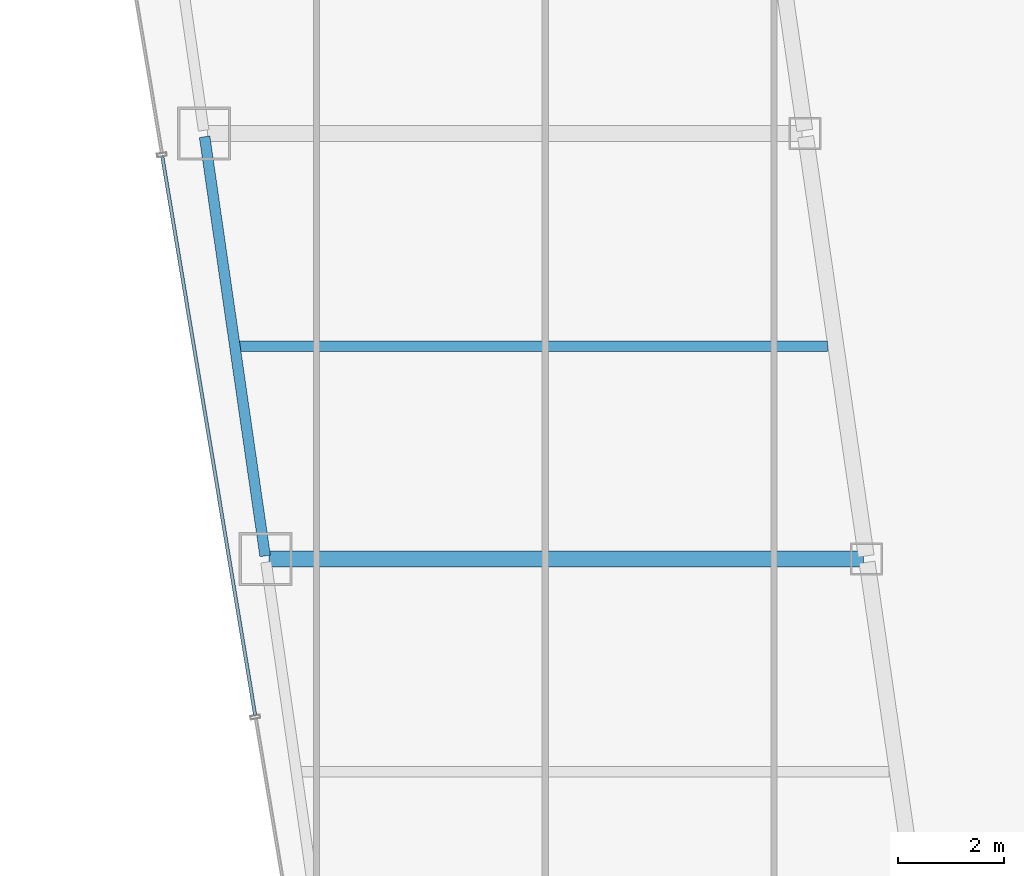
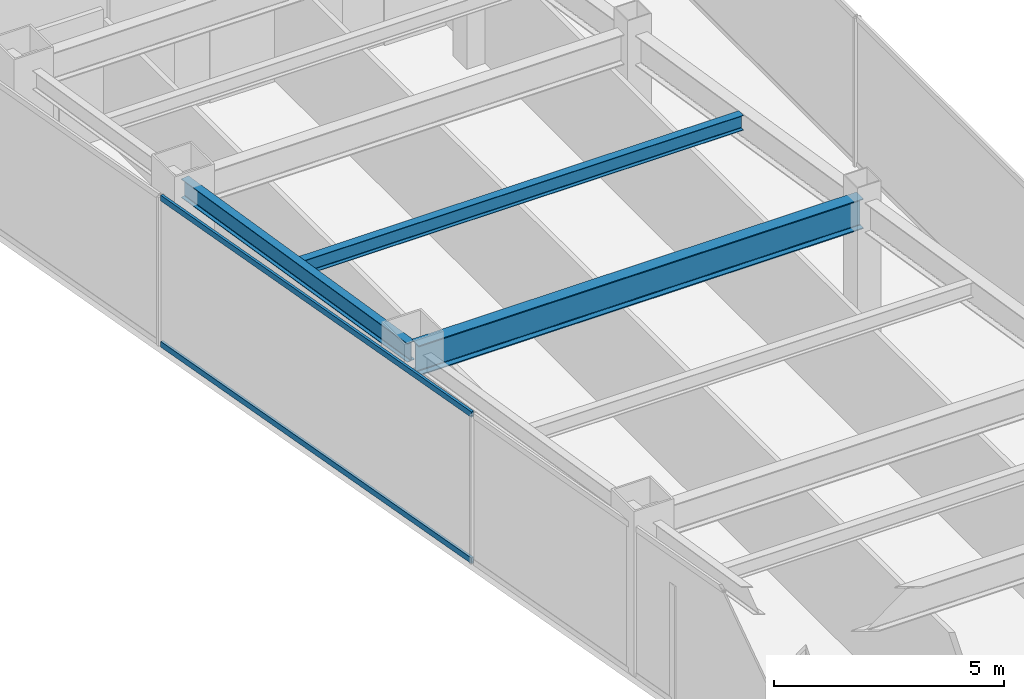
# One storey, part 8 of 36: 3 beams, 2 members, 1 element without a shape of its own.
"""IFC4 building model written with IfcOpenShell, lengths in metres."""

from ifc_helpers import new_model, si_unit, direction, frame, origin, origin_2d, place, context, subcontext, project, spatial, hollow_rectangle, i_section, extrude, material, material_profile, profile_set, type_object, element, aggregate, save


model = new_model("IFC4")

# Units and contexts
model_context = context("Model", 3, precision=1e-05, world=origin(), true_north=direction((0.0, 1.0)))
body_context = subcontext(model_context, "Body", "Model", "MODEL_VIEW")
ifc_project = project(units=[si_unit("LENGTHUNIT", "METRE"), si_unit("AREAUNIT", "SQUARE_METRE"), si_unit("VOLUMEUNIT", "CUBIC_METRE"), si_unit("PLANEANGLEUNIT", "RADIAN"), si_unit("MASSUNIT", "GRAM", prefix="KILO")], contexts=[model_context])

# Site, building, storey
site_placement = place(None, origin())
site = spatial("IfcSite", under=ifc_project, at=site_placement, CompositionType="ELEMENT")
building_placement = place(site_placement, origin())
building = spatial("IfcBuilding", under=site, at=building_placement, Name="Saevonmaru Cultural Tower", CompositionType="ELEMENT")
storey_placement = place(building_placement, frame((0.0, 0.0, 119.199951171875)))
storey = spatial("IfcBuildingStorey", under=building, at=storey_placement, Name="L25", CompositionType="ELEMENT", Elevation=119.199951171875)

# Beams
ifc_material_1 = material(Name="Steel SM420", Category="steel")
ifc_material_profile_1 = material_profile(ifc_material_1, i_section(OverallWidth=0.300048828125, OverallDepth=0.800048828125, WebThickness=0.013916015625, FlangeThickness=0.02587890625, FilletRadius=0.028076171875, at=origin_2d()), Name="H-800x300x14x26")
ifc_profile_set_1 = profile_set([ifc_material_profile_1], Name="Steel SM420")
beam_type_1 = type_object("IfcBeamType", Name="BM-G-H800", PredefinedType="BEAM", material=ifc_profile_set_1)
beam_1_placement = place(storey_placement, frame((9.531982421875, 24.0, 3.550048828125), z_axis=(1.0, 0.0, 0.0), x_axis=(0.0, 1.0, 0.0)))
element("IfcBeam", 1, at=beam_1_placement, inside=storey, type_object=beam_type_1, Name="L25 West Wing Transverse Girder 3", PredefinedType="BEAM", context=body_context, shape_type="SweptSolid", body=[
    extrude(i_section(OverallWidth=0.300048828125, OverallDepth=0.800048828125, WebThickness=0.013916015625, FlangeThickness=0.02587890625, FilletRadius=0.028076171875, at=origin_2d()), origin(), (0.0, 0.0, 1.0), 11.179931640625),
])
ifc_material_2 = material(Name="Steel SM355", Category="steel")
ifc_material_profile_2 = material_profile(ifc_material_2, i_section(OverallWidth=0.199951171875, OverallDepth=0.39990234375, WebThickness=0.008056640625, FlangeThickness=0.012939453125, FilletRadius=0.01611328125, at=origin_2d()), Name="H-400x200x8x13")
ifc_profile_set_2 = profile_set([ifc_material_profile_2], Name="Steel SM355")
beam_type_2 = type_object("IfcBeamType", Name="BM-J-H400", PredefinedType="JOIST", material=ifc_profile_set_2)
beam_2_placement = place(storey_placement, frame((8.95458984375, 28.0, 3.75), z_axis=(1.0, 0.0, 0.0), x_axis=(0.0, 1.0, 0.0)))
element("IfcBeam", 2, at=beam_2_placement, inside=storey, type_object=beam_type_2, Name="L25 West Wing Floor Joist 3", PredefinedType="JOIST", context=body_context, shape_type="SweptSolid", body=[
    extrude(i_section(OverallWidth=0.199951171875, OverallDepth=0.39990234375, WebThickness=0.008056640625, FlangeThickness=0.012939453125, FilletRadius=0.01611328125, at=origin_2d()), origin(), (0.0, 0.0, 1.0), 11.08203125),
])
ifc_material_profile_3 = material_profile(ifc_material_2, i_section(OverallWidth=0.199951171875, OverallDepth=0.5, WebThickness=0.010009765625, FlangeThickness=0.01611328125, FilletRadius=0.02001953125, at=origin_2d()), Name="H-500x200x10x16")
ifc_profile_set_3 = profile_set([ifc_material_profile_3], Name="Steel SM355")
beam_type_3 = type_object("IfcBeamType", Name="BM-SP-H500", PredefinedType="SPANDREL", material=ifc_profile_set_3)
beam_3_placement = place(storey_placement, frame((9.46337890625, 24.059326171875, 3.699951171875), z_axis=(-0.142871999001, 0.989741174197, 0.0), x_axis=(-0.989741174197, -0.142871999001, 0.0)))
element("IfcBeam", 3, at=beam_3_placement, inside=storey, type_object=beam_type_3, Name="L25 West Splayed Spandrel 3", PredefinedType="SPANDREL", context=body_context, shape_type="SweptSolid", body=[
    extrude(i_section(OverallWidth=0.199951171875, OverallDepth=0.5, WebThickness=0.010009765625, FlangeThickness=0.01611328125, FilletRadius=0.02001953125, at=origin_2d()), origin(), (0.0, 0.0, 1.0), 7.963134765625),
])

# Curtain wall, members
ifc_material_3 = material(Name="Satin Bronze Anodised Aluminium", Category="aluminium")
curtain_wall_type = type_object("IfcCurtainWallType", Name="CW-TYP-A", PredefinedType="NOTDEFINED", material=ifc_material_3)
curtain_wall_placement = place(storey_placement, origin())
curtain_wall = element("IfcCurtainWall", 4, at=curtain_wall_placement, inside=storey, type_object=curtain_wall_type, Name="L25 Unitised Curtain Wall E12", PredefinedType="NOTDEFINED")
ifc_material_profile_4 = material_profile(ifc_material_3, hollow_rectangle(XDim=0.06494140625, YDim=0.14990234375, WallThickness=0.00390625, at=origin_2d()), Name="ALU-TRAN-150x65x4")
ifc_profile_set_4 = profile_set([ifc_material_profile_4], Name="Satin Bronze Anodised Aluminium")
member_type = type_object("IfcMemberType", Name="TR-CW-150x65", PredefinedType="USERDEFINED", material=ifc_profile_set_4)
member_1_placement = place(storey_placement, frame((7.52978515625, 31.56787109375, 0.032470703125), z_axis=(0.163993787386, -0.98646137162, 0.0), x_axis=(0.98646137162, 0.163993787386, 0.0)))
member_1 = element("IfcMember", 5, at=member_1_placement, type_object=member_type, Name="CW-TW-L25-E12 transom 3.1", ObjectType="TRANSOM", PredefinedType="USERDEFINED", context=body_context, shape_type="SweptSolid", body=[
    extrude(hollow_rectangle(XDim=0.06494140625, YDim=0.14990234375, WallThickness=0.00390625, at=origin_2d()), origin(), (0.0, 0.0, 1.0), 10.650390625),
])
member_2_placement = place(storey_placement, frame((7.52978515625, 31.56787109375, 3.91748046875), z_axis=(0.163993787386, -0.98646137162, 0.0), x_axis=(0.98646137162, 0.163993787386, 0.0)))
member_2 = element("IfcMember", 6, at=member_2_placement, type_object=member_type, Name="CW-TW-L25-E12 transom 3.2", ObjectType="TRANSOM", PredefinedType="USERDEFINED", context=body_context, shape_type="SweptSolid", body=[
    extrude(hollow_rectangle(XDim=0.06494140625, YDim=0.14990234375, WallThickness=0.00390625, at=origin_2d()), origin(), (0.0, 0.0, 1.0), 10.650390625),
])
aggregate(curtain_wall, [member_1, member_2])

save(model, "model.ifc")
